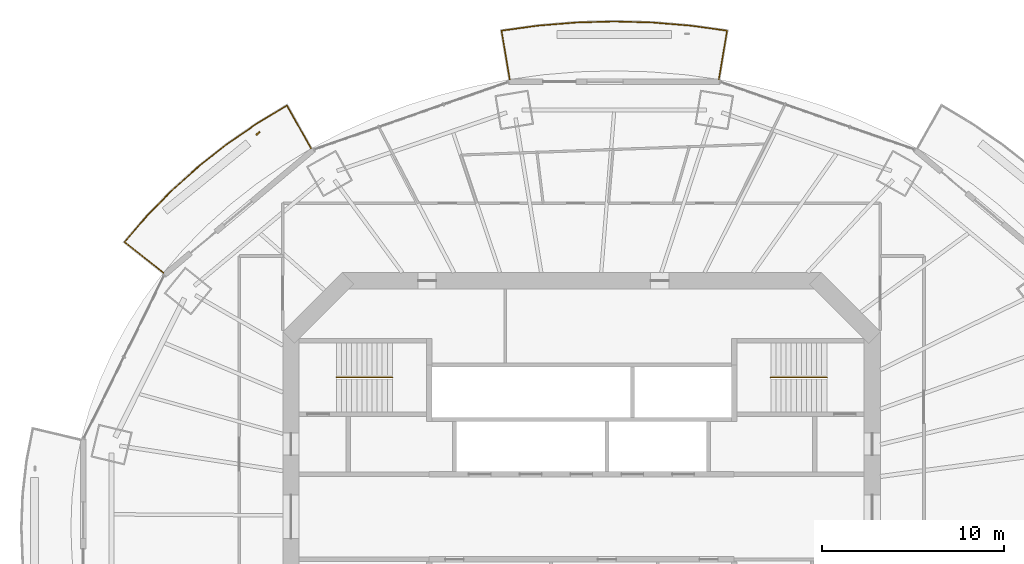
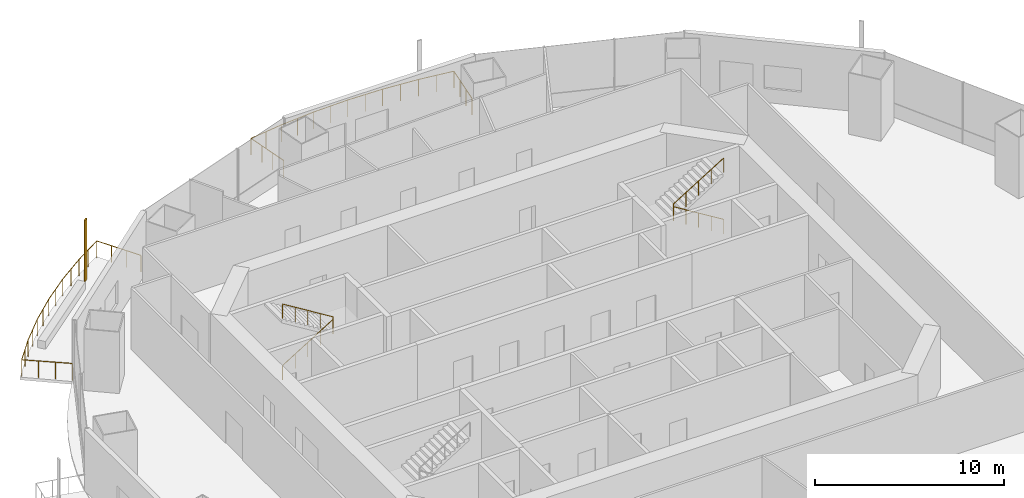
# One storey, part 17 of 19: 4 railings, 1 shading device.
"""IFC4 building model written with IfcOpenShell, lengths in metres."""

from ifc_helpers import new_model, si_unit, direction, frame, origin, origin_2d, place, context, subcontext, project, spatial, rectangle, circle, extrude, material, material_profile, profile_set, type_object, element, save


model = new_model("IFC4")

# Units and contexts
model_context = context("Model", 3, precision=1e-05, world=origin(), true_north=direction((0.0, 1.0)))
body_context = subcontext(model_context, "Body", "Model", "MODEL_VIEW")
ifc_project = project(units=[si_unit("LENGTHUNIT", "METRE"), si_unit("AREAUNIT", "SQUARE_METRE"), si_unit("VOLUMEUNIT", "CUBIC_METRE"), si_unit("PLANEANGLEUNIT", "RADIAN"), si_unit("MASSUNIT", "GRAM", prefix="KILO")], contexts=[model_context])

# Site, building, storey
site_placement = place(None, origin())
site = spatial("IfcSite", under=ifc_project, at=site_placement, CompositionType="ELEMENT")
building_placement = place(site_placement, origin())
building = spatial("IfcBuilding", under=site, at=building_placement, Name="Marenthal Gate Tower", CompositionType="ELEMENT")
storey_placement = place(building_placement, frame((0.0, 0.0, 256.5)))
storey = spatial("IfcBuildingStorey", under=building, at=storey_placement, Name="L57", CompositionType="ELEMENT", Elevation=256.5)

# Railings
ifc_material_1 = material(Name="Stainless steel", Category="steel")
railing_type_1 = type_object("IfcRailingType", Name="Balcony guard 1100", PredefinedType="GUARDRAIL", material=ifc_material_1)
railing_1_placement = place(storey_placement, frame((-3.958740234375, 24.083984375, 0.0)))
element("IfcRailing", 1, at=railing_1_placement, inside=storey, type_object=railing_type_1, Name="Balcony guard L57 bay 4", PredefinedType="GUARDRAIL", context=body_context, shape_type="SweptSolid", body=[
    extrude(circle(Radius=0.02392578125, at=origin_2d()), frame((0.0, 0.0, 1.076171875), z_axis=(-0.165050627973, 0.986175258386, -0.014719033707), x_axis=(-0.986282103159, -0.165068509984, 0.0)), (0.0, 0.0, 1.0), 2.72021484375),
    extrude(circle(Radius=0.02392578125, at=origin_2d()), frame((-0.448974609375, 2.6826171875, 1.0361328125), z_axis=(0.990661107933, 0.1363472377, 0.0), x_axis=(-0.1363472377, 0.990661107933, 0.0)), (0.0, 0.0, 1.0), 2.021484375),
    extrude(circle(Radius=0.02392578125, at=origin_2d()), frame((1.5537109375, 2.958251953125, 1.0361328125), z_axis=(0.996585629945, 0.082565623519, 0.0), x_axis=(-0.082565623519, 0.996585629945, 0.0)), (0.0, 0.0, 1.0), 2.105224609375),
    extrude(circle(Radius=0.02392578125, at=origin_2d()), frame((3.65185546875, 3.132080078125, 1.0361328125), z_axis=(0.999623123084, 0.02745199075, 0.0), x_axis=(-0.02745199075, 0.999623123084, 0.0)), (0.0, 0.0, 1.0), 2.107666015625),
    extrude(circle(Radius=0.02392578125, at=origin_2d()), frame((5.7587890625, 3.18994140625, 1.0361328125), z_axis=(0.999623123084, -0.02745199075, 0.0), x_axis=(0.02745199075, 0.999623123084, 0.0)), (0.0, 0.0, 1.0), 2.107666015625),
    extrude(circle(Radius=0.02392578125, at=origin_2d()), frame((7.86572265625, 3.132080078125, 1.0361328125), z_axis=(0.996585629945, -0.082565623519, 0.0), x_axis=(0.082565623519, 0.996585629945, 0.0)), (0.0, 0.0, 1.0), 2.105224609375),
    extrude(circle(Radius=0.02392578125, at=origin_2d()), frame((9.9638671875, 2.958251953125, 1.0361328125), z_axis=(0.990661107933, -0.1363472377, 0.0), x_axis=(0.1363472377, 0.990661107933, 0.0)), (0.0, 0.0, 1.0), 2.021484375),
    extrude(circle(Radius=0.02392578125, at=origin_2d()), frame((11.966552734375, 2.6826171875, 1.0361328125), z_axis=(-0.165050627973, -0.986175258386, 0.014719033707), x_axis=(0.986282103159, -0.165068509984, 0.0)), (0.0, 0.0, 1.0), 2.72021484375),
    extrude(circle(Radius=0.02099609375, at=origin_2d()), origin(), (0.0, 0.0, 1.0), 1.052001953125),
    extrude(circle(Radius=0.02099609375, at=origin_2d()), frame((-0.149658203125, 0.894287109375, -0.013427734375)), (0.0, 0.0, 1.0), 1.052001953125),
    extrude(circle(Radius=0.02099609375, at=origin_2d()), frame((-0.29931640625, 1.788330078125, -0.026611328125)), (0.0, 0.0, 1.0), 1.052001953125),
    extrude(circle(Radius=0.02099609375, at=origin_2d()), frame((-0.448974609375, 2.6826171875, -0.0400390625)), (0.0, 0.0, 1.0), 1.052001953125),
    extrude(circle(Radius=0.02099609375, at=origin_2d()), frame((0.55224609375, 2.8203125, -0.0400390625)), (0.0, 0.0, 1.0), 1.052001953125),
    extrude(circle(Radius=0.02099609375, at=origin_2d()), frame((1.5537109375, 2.958251953125, -0.0400390625)), (0.0, 0.0, 1.0), 1.052001953125),
    extrude(circle(Radius=0.02099609375, at=origin_2d()), frame((2.602783203125, 3.045166015625, -0.0400390625)), (0.0, 0.0, 1.0), 1.052001953125),
    extrude(circle(Radius=0.02099609375, at=origin_2d()), frame((3.65185546875, 3.132080078125, -0.0400390625)), (0.0, 0.0, 1.0), 1.052001953125),
    extrude(circle(Radius=0.02099609375, at=origin_2d()), frame((4.705322265625, 3.1611328125, -0.0400390625)), (0.0, 0.0, 1.0), 1.052001953125),
    extrude(circle(Radius=0.02099609375, at=origin_2d()), frame((5.7587890625, 3.18994140625, -0.0400390625)), (0.0, 0.0, 1.0), 1.052001953125),
    extrude(circle(Radius=0.02099609375, at=origin_2d()), frame((6.812255859375, 3.1611328125, -0.0400390625)), (0.0, 0.0, 1.0), 1.052001953125),
    extrude(circle(Radius=0.02099609375, at=origin_2d()), frame((7.86572265625, 3.132080078125, -0.0400390625)), (0.0, 0.0, 1.0), 1.052001953125),
    extrude(circle(Radius=0.02099609375, at=origin_2d()), frame((8.914794921875, 3.045166015625, -0.0400390625)), (0.0, 0.0, 1.0), 1.052001953125),
    extrude(circle(Radius=0.02099609375, at=origin_2d()), frame((9.9638671875, 2.958251953125, -0.0400390625)), (0.0, 0.0, 1.0), 1.052001953125),
    extrude(circle(Radius=0.02099609375, at=origin_2d()), frame((10.96533203125, 2.8203125, -0.0400390625)), (0.0, 0.0, 1.0), 1.052001953125),
    extrude(circle(Radius=0.02099609375, at=origin_2d()), frame((11.966552734375, 2.6826171875, -0.0400390625)), (0.0, 0.0, 1.0), 1.052001953125),
    extrude(circle(Radius=0.02099609375, at=origin_2d()), frame((11.81689453125, 1.788330078125, -0.026611328125)), (0.0, 0.0, 1.0), 1.052001953125),
    extrude(circle(Radius=0.02099609375, at=origin_2d()), frame((11.667236328125, 0.894287109375, -0.013427734375)), (0.0, 0.0, 1.0), 1.052001953125),
    extrude(circle(Radius=0.02099609375, at=origin_2d()), frame((11.517578125, 0.0, 0.0)), (0.0, 0.0, 1.0), 1.052001953125),
])
railing_2_placement = place(storey_placement, frame((-23.0302734375, 13.4375, 0.0)))
element("IfcRailing", 2, at=railing_2_placement, inside=storey, type_object=railing_type_1, Name="Balcony guard L57 bay 6", PredefinedType="GUARDRAIL", context=body_context, shape_type="SweptSolid", body=[
    extrude(circle(Radius=0.02392578125, at=origin_2d()), frame((0.0, 0.0, 1.076171875), z_axis=(-0.783055581805, 0.621777543925, -0.014718752483), x_axis=(-0.621844906334, -0.783140416826, 0.0)), (0.0, 0.0, 1.0), 2.72021484375),
    extrude(circle(Radius=0.02392578125, at=origin_2d()), frame((-2.130126953125, 1.69140625, 1.0361328125), z_axis=(0.649809223688, 0.760097344298, 0.0), x_axis=(-0.760097344298, 0.649809223688, 0.0)), (0.0, 0.0, 1.0), 1.864013671875),
    extrude(circle(Radius=0.02392578125, at=origin_2d()), frame((-0.9189453125, 3.108154296875, 1.0361328125), z_axis=(0.698521536326, 0.715589032398, 0.0), x_axis=(-0.715589032398, 0.698521536326, 0.0)), (0.0, 0.0, 1.0), 1.959716796875),
    extrude(circle(Radius=0.02392578125, at=origin_2d()), frame((0.449951171875, 4.510498046875, 1.0361328125), z_axis=(0.744141474821, 0.668022054614, 0.0), x_axis=(-0.668022054614, 0.744141474821, 0.0)), (0.0, 0.0, 1.0), 1.975830078125),
    extrude(circle(Radius=0.02392578125, at=origin_2d()), frame((1.920166015625, 5.830322265625, 1.0361328125), z_axis=(0.785663114819, 0.618654564367, 0.0), x_axis=(-0.618654564367, 0.785663114819, 0.0)), (0.0, 0.0, 1.0), 1.992431640625),
    extrude(circle(Radius=0.02392578125, at=origin_2d()), frame((3.485595703125, 7.06298828125, 1.0361328125), z_axis=(0.823118749267, 0.567869284787, 0.0), x_axis=(-0.567869284787, 0.823118749267, 0.0)), (0.0, 0.0, 1.0), 2.008544921875),
    extrude(circle(Radius=0.02392578125, at=origin_2d()), frame((5.138916015625, 8.20361328125, 1.0361328125), z_axis=(0.855893544478, 0.517152047778, 0.0), x_axis=(-0.517152047778, 0.855893544478, 0.0)), (0.0, 0.0, 1.0), 1.944580078125),
    extrude(circle(Radius=0.02392578125, at=origin_2d()), frame((6.80322265625, 9.209228515625, 1.0361328125), z_axis=(0.490003601749, -0.871596150217, 0.014718056902), x_axis=(0.871690568659, 0.490056682957, 0.0)), (0.0, 0.0, 1.0), 2.720458984375),
    extrude(circle(Radius=0.02099609375, at=origin_2d()), origin(), (0.0, 0.0, 1.0), 1.052001953125),
    extrude(circle(Radius=0.02099609375, at=origin_2d()), frame((-0.7099609375, 0.563720703125, -0.013427734375)), (0.0, 0.0, 1.0), 1.052001953125),
    extrude(circle(Radius=0.02099609375, at=origin_2d()), frame((-1.420166015625, 1.127685546875, -0.026611328125)), (0.0, 0.0, 1.0), 1.052001953125),
    extrude(circle(Radius=0.02099609375, at=origin_2d()), frame((-2.130126953125, 1.69140625, -0.0400390625)), (0.0, 0.0, 1.0), 1.052001953125),
    extrude(circle(Radius=0.02099609375, at=origin_2d()), frame((-1.5244140625, 2.39990234375, -0.0400390625)), (0.0, 0.0, 1.0), 1.052001953125),
    extrude(circle(Radius=0.02099609375, at=origin_2d()), frame((-0.9189453125, 3.108154296875, -0.0400390625)), (0.0, 0.0, 1.0), 1.052001953125),
    extrude(circle(Radius=0.02099609375, at=origin_2d()), frame((-0.234375, 3.809326171875, -0.0400390625)), (0.0, 0.0, 1.0), 1.052001953125),
    extrude(circle(Radius=0.02099609375, at=origin_2d()), frame((0.449951171875, 4.510498046875, -0.0400390625)), (0.0, 0.0, 1.0), 1.052001953125),
    extrude(circle(Radius=0.02099609375, at=origin_2d()), frame((1.18505859375, 5.17041015625, -0.0400390625)), (0.0, 0.0, 1.0), 1.052001953125),
    extrude(circle(Radius=0.02099609375, at=origin_2d()), frame((1.920166015625, 5.830322265625, -0.0400390625)), (0.0, 0.0, 1.0), 1.052001953125),
    extrude(circle(Radius=0.02099609375, at=origin_2d()), frame((2.702880859375, 6.44677734375, -0.0400390625)), (0.0, 0.0, 1.0), 1.052001953125),
    extrude(circle(Radius=0.02099609375, at=origin_2d()), frame((3.485595703125, 7.06298828125, -0.0400390625)), (0.0, 0.0, 1.0), 1.052001953125),
    extrude(circle(Radius=0.02099609375, at=origin_2d()), frame((4.312255859375, 7.63330078125, -0.0400390625)), (0.0, 0.0, 1.0), 1.052001953125),
    extrude(circle(Radius=0.02099609375, at=origin_2d()), frame((5.138916015625, 8.20361328125, -0.0400390625)), (0.0, 0.0, 1.0), 1.052001953125),
    extrude(circle(Radius=0.02099609375, at=origin_2d()), frame((5.97119140625, 8.70654296875, -0.0400390625)), (0.0, 0.0, 1.0), 1.052001953125),
    extrude(circle(Radius=0.02099609375, at=origin_2d()), frame((6.80322265625, 9.209228515625, -0.0400390625)), (0.0, 0.0, 1.0), 1.052001953125),
    extrude(circle(Radius=0.02099609375, at=origin_2d()), frame((7.24755859375, 8.4189453125, -0.026611328125)), (0.0, 0.0, 1.0), 1.052001953125),
    extrude(circle(Radius=0.02099609375, at=origin_2d()), frame((7.69189453125, 7.62841796875, -0.013427734375)), (0.0, 0.0, 1.0), 1.052001953125),
    extrude(circle(Radius=0.02099609375, at=origin_2d()), frame((8.13623046875, 6.838134765625, 0.0)), (0.0, 0.0, 1.0), 1.052001953125),
])
ifc_material_2 = material(Name="Stainless steel", Category="steel")
railing_type_2 = type_object("IfcRailingType", Name="Stair handrail", PredefinedType="HANDRAIL", material=ifc_material_2)
railing_3_placement = place(storey_placement, frame((-13.5, 7.675048828125, 0.1728515625)))
element("IfcRailing", 3, at=railing_3_placement, inside=storey, type_object=railing_type_2, Name="Handrail ST1", PredefinedType="HANDRAIL", context=body_context, shape_type="SweptSolid", body=[
    extrude(circle(Radius=0.0224609375, at=origin_2d()), frame((0.0, 0.0, 0.927490234375), z_axis=(0.850835241893, 0.0, 0.525432575268), x_axis=(0.0, 1.0, 0.0)), (0.0, 0.0, 1.0), 3.6201171875),
    extrude(circle(Radius=0.0224609375, at=origin_2d()), frame((3.080078125, 0.0, 2.82958984375), z_axis=(0.0, 0.0, 1.0), x_axis=(1.0, 0.0, 0.0)), (0.0, 0.0, 1.0), 0.1728515625),
    extrude(circle(Radius=0.0224609375, at=origin_2d()), frame((3.080078125, 0.0, 3.00244140625), z_axis=(-0.850835241893, 0.0, 0.525432575268), x_axis=(0.0, -1.0, 0.0)), (0.0, 0.0, 1.0), 3.6201171875),
    extrude(circle(Radius=0.02001953125, at=origin_2d()), origin(), (0.0, 0.0, 1.0), 0.905029296875),
    extrude(circle(Radius=0.02001953125, at=origin_2d()), frame((0.77001953125, 0.0, 0.4755859375)), (0.0, 0.0, 1.0), 0.905029296875),
    extrude(circle(Radius=0.02001953125, at=origin_2d()), frame((1.5400390625, 0.0, 0.951171875)), (0.0, 0.0, 1.0), 0.905029296875),
    extrude(circle(Radius=0.02001953125, at=origin_2d()), frame((2.31005859375, 0.0, 1.426513671875)), (0.0, 0.0, 1.0), 0.905029296875),
    extrude(circle(Radius=0.02001953125, at=origin_2d()), frame((3.080078125, 0.0, 1.902099609375)), (0.0, 0.0, 1.0), 0.905029296875),
    extrude(circle(Radius=0.02001953125, at=origin_2d()), frame((3.080078125, 0.0, 2.074951171875)), (0.0, 0.0, 1.0), 0.905029296875),
    extrude(circle(Radius=0.02001953125, at=origin_2d()), frame((2.31005859375, 0.0, 2.550537109375)), (0.0, 0.0, 1.0), 0.905029296875),
    extrude(circle(Radius=0.02001953125, at=origin_2d()), frame((1.5400390625, 0.0, 3.02587890625)), (0.0, 0.0, 1.0), 0.905029296875),
    extrude(circle(Radius=0.02001953125, at=origin_2d()), frame((0.77001953125, 0.0, 3.50146484375)), (0.0, 0.0, 1.0), 0.905029296875),
    extrude(circle(Radius=0.02001953125, at=origin_2d()), frame((0.0, 0.0, 3.97705078125)), (0.0, 0.0, 1.0), 0.905029296875),
])
railing_4_placement = place(storey_placement, frame((13.5, 7.675048828125, 0.1728515625)))
element("IfcRailing", 4, at=railing_4_placement, inside=storey, type_object=railing_type_2, Name="Handrail ST3", PredefinedType="HANDRAIL", context=body_context, shape_type="SweptSolid", body=[
    extrude(circle(Radius=0.0224609375, at=origin_2d()), frame((0.0, 0.0, 0.927490234375), z_axis=(-0.850835241893, 0.0, 0.525432575268), x_axis=(0.0, -1.0, 0.0)), (0.0, 0.0, 1.0), 3.6201171875),
    extrude(circle(Radius=0.0224609375, at=origin_2d()), frame((-3.080078125, 0.0, 2.82958984375), z_axis=(0.0, 0.0, 1.0), x_axis=(1.0, 0.0, 0.0)), (0.0, 0.0, 1.0), 0.1728515625),
    extrude(circle(Radius=0.0224609375, at=origin_2d()), frame((-3.080078125, 0.0, 3.00244140625), z_axis=(0.850835241893, 0.0, 0.525432575268), x_axis=(0.0, 1.0, 0.0)), (0.0, 0.0, 1.0), 3.6201171875),
    extrude(circle(Radius=0.02001953125, at=origin_2d()), origin(), (0.0, 0.0, 1.0), 0.905029296875),
    extrude(circle(Radius=0.02001953125, at=origin_2d()), frame((-0.77001953125, 0.0, 0.4755859375)), (0.0, 0.0, 1.0), 0.905029296875),
    extrude(circle(Radius=0.02001953125, at=origin_2d()), frame((-1.5400390625, 0.0, 0.951171875)), (0.0, 0.0, 1.0), 0.905029296875),
    extrude(circle(Radius=0.02001953125, at=origin_2d()), frame((-2.31005859375, 0.0, 1.426513671875)), (0.0, 0.0, 1.0), 0.905029296875),
    extrude(circle(Radius=0.02001953125, at=origin_2d()), frame((-3.080078125, 0.0, 1.902099609375)), (0.0, 0.0, 1.0), 0.905029296875),
    extrude(circle(Radius=0.02001953125, at=origin_2d()), frame((-3.080078125, 0.0, 2.074951171875)), (0.0, 0.0, 1.0), 0.905029296875),
    extrude(circle(Radius=0.02001953125, at=origin_2d()), frame((-2.31005859375, 0.0, 2.550537109375)), (0.0, 0.0, 1.0), 0.905029296875),
    extrude(circle(Radius=0.02001953125, at=origin_2d()), frame((-1.5400390625, 0.0, 3.02587890625)), (0.0, 0.0, 1.0), 0.905029296875),
    extrude(circle(Radius=0.02001953125, at=origin_2d()), frame((-0.77001953125, 0.0, 3.50146484375)), (0.0, 0.0, 1.0), 0.905029296875),
    extrude(circle(Radius=0.02001953125, at=origin_2d()), frame((0.0, 0.0, 3.97705078125)), (0.0, 0.0, 1.0), 0.905029296875),
])

# Shading device
ifc_material_3 = material(Name="Terracotta", Category="masonry")
ifc_material_profile = material_profile(ifc_material_3, rectangle(XDim=0.25, YDim=0.080078125, at=origin_2d()), Name="Terracotta baguette 250x80")
ifc_profile_set = profile_set([ifc_material_profile], Name="Terracotta")
shading_device_type = type_object("IfcShadingDeviceType", Name="Terracotta BAGUETTE SCREEN 250x80", PredefinedType="USERDEFINED", material=ifc_profile_set)
shading_device_placement = place(storey_placement, frame((-17.817626953125, 21.109619140625, -0.0400390625), z_axis=(0.0, 0.0, 1.0), x_axis=(-0.765398416376, -0.643556729597, 0.0)))
element("IfcShadingDevice", 5, at=shading_device_placement, inside=storey, type_object=shading_device_type, Name="Terracotta BAGUETTE L57 bay 6L", ObjectType="BAGUETTE SCREEN", PredefinedType="USERDEFINED", context=body_context, shape_type="SweptSolid", body=[
    extrude(rectangle(XDim=0.25, YDim=0.080078125, at=origin_2d()), origin(), (0.0, 0.0, 1.0), 3.969970703125),
])

save(model, "model.ifc")
